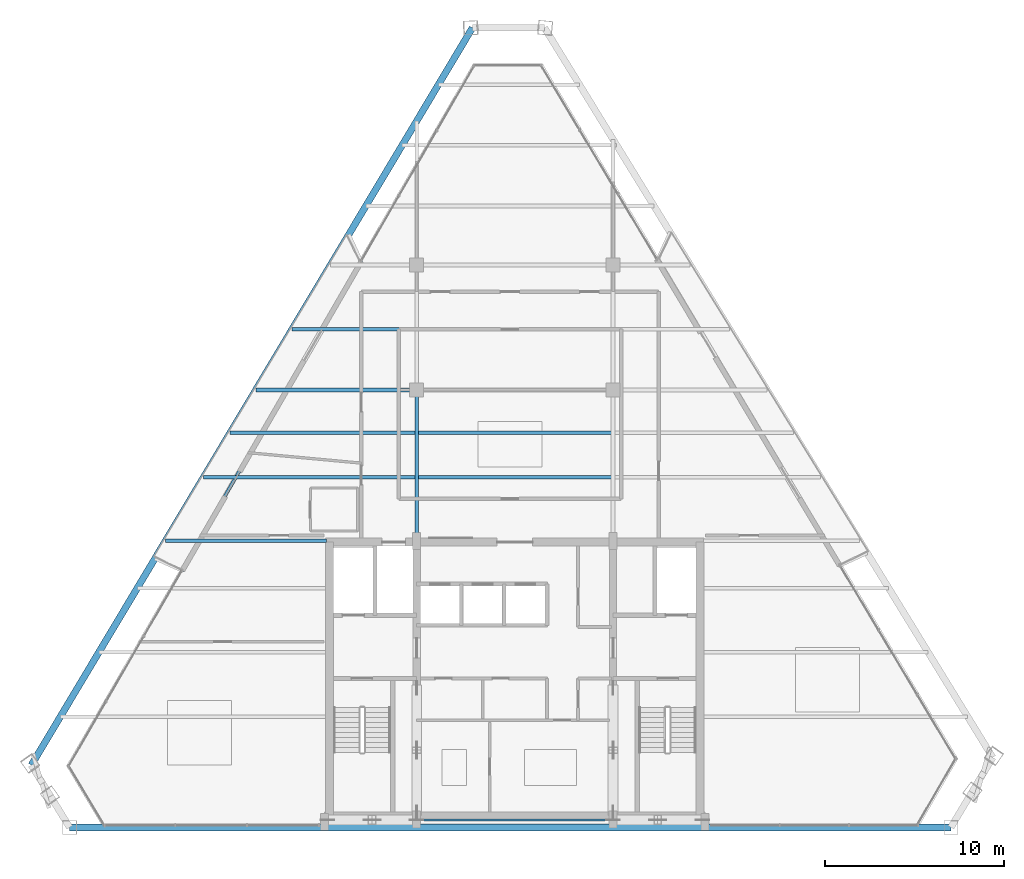
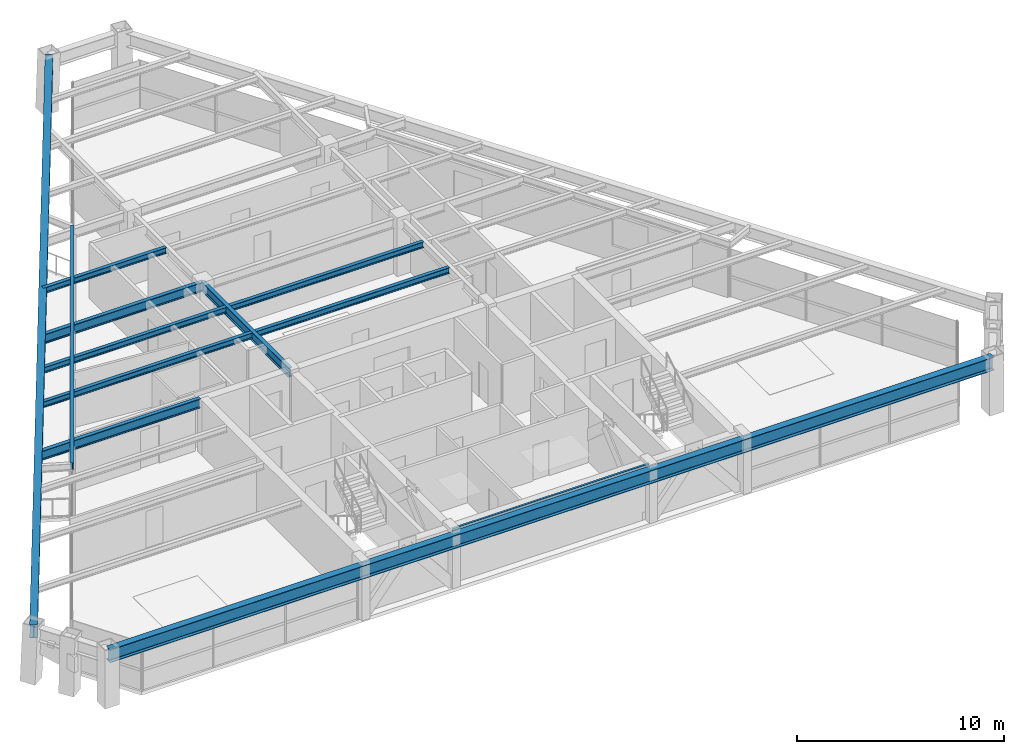
# One storey, part 3 of 13: 12 beams.
"""IFC4 building model written with IfcOpenShell, lengths in metres."""

from ifc_helpers import new_model, si_unit, direction, frame, origin, origin_2d, place, context, subcontext, project, spatial, i_section, extrude, source, transform, mapped, material, material_profile, profile_set, type_object, type_shapes, element, save


model = new_model("IFC4")

# Units and contexts
model_context = context("Model", 3, precision=1e-05, world=origin(), true_north=direction((0.0, 1.0)))
body_context = subcontext(model_context, "Body", "Model", "MODEL_VIEW")
ifc_project = project(units=[si_unit("LENGTHUNIT", "METRE"), si_unit("AREAUNIT", "SQUARE_METRE"), si_unit("VOLUMEUNIT", "CUBIC_METRE"), si_unit("PLANEANGLEUNIT", "RADIAN"), si_unit("MASSUNIT", "GRAM", prefix="KILO")], contexts=[model_context])

# Site, building, storey
site_placement = place(None, origin())
site = spatial("IfcSite", under=ifc_project, at=site_placement, CompositionType="ELEMENT")
building_placement = place(site_placement, origin())
building = spatial("IfcBuilding", under=site, at=building_placement, Name="Varnakhor Terracotta Tower", CompositionType="ELEMENT")
storey_placement = place(building_placement, frame((0.0, 0.0, 269.550048828125)))
storey = spatial("IfcBuildingStorey", under=building, at=storey_placement, Name="L70", CompositionType="ELEMENT", Elevation=269.550048828125)

# Beams
ifc_material = material(Name="Steel S355", Category="steel")
ifc_material_profile_1 = material_profile(ifc_material, i_section(OverallWidth=0.1201171875, OverallDepth=0.239990234375, WebThickness=0.006103515625, FlangeThickness=0.009765625, FilletRadius=0.01806640625, at=origin_2d()), Name="IPE240")
ifc_profile_set_1 = profile_set([ifc_material_profile_1], Name="Steel S355")
beam_type_1 = type_object("IfcBeamType", Name="LNT-IPE240", PredefinedType="LINTEL", material=ifc_profile_set_1)
shared_shape_1 = source(origin(), body_context, "Body", "SweptSolid", [
    extrude(i_section(OverallWidth=0.1201171875, OverallDepth=0.239990234375, WebThickness=0.006103515625, FlangeThickness=0.009765625, FilletRadius=0.01806640625, at=origin_2d()), origin(), (0.0, 0.0, 1.0), 11.0),
])
type_shapes(beam_type_1, [shared_shape_1])
beam_1_placement = place(storey_placement, frame((-5.5, 0.419921875, 3.119873046875), z_axis=(1.0, 0.0, 0.0), x_axis=(0.0, 1.0, 0.0)))
element("IfcBeam", 1, at=beam_1_placement, inside=storey, type_object=beam_type_1, Name="L70 Core South Coupling Lintel", PredefinedType="LINTEL", context=body_context, shape_type="MappedRepresentation", body=[
    mapped(shared_shape_1, transform((0.0, 0.0, 0.0), scale=1.0)),
])
ifc_material_profile_2 = material_profile(ifc_material, i_section(OverallWidth=0.214111328125, OverallDepth=0.549072265625, WebThickness=0.014892578125, FlangeThickness=0.02392578125, FilletRadius=0.01806640625, at=origin_2d()), Name="W21X93")
ifc_profile_set_2 = profile_set([ifc_material_profile_2], Name="Steel S355")
beam_type_2 = type_object("IfcBeamType", Name="BM-W21X93", PredefinedType="BEAM", material=ifc_profile_set_2)
shared_shape_2 = source(origin(), body_context, "Body", "SweptSolid", [
    extrude(i_section(OverallWidth=0.214111328125, OverallDepth=0.549072265625, WebThickness=0.014892578125, FlangeThickness=0.02392578125, FilletRadius=0.01806640625, at=origin_2d()), origin(), (0.0, 0.0, 1.0), 8.449951171875),
])
type_shapes(beam_type_2, [shared_shape_2])
beam_2_placement = place(storey_placement, frame((-5.5, 16.050048828125, 2.96533203125), z_axis=(0.0, 1.0, 0.0), x_axis=(-1.0, 0.0, 0.0)))
element("IfcBeam", 2, at=beam_2_placement, inside=storey, type_object=beam_type_2, Name="L70 Primary Girder NS1-W", PredefinedType="BEAM", context=body_context, shape_type="MappedRepresentation", body=[
    mapped(shared_shape_2, transform((0.0, 0.0, 0.0), scale=1.0)),
])
ifc_material_profile_3 = material_profile(ifc_material, i_section(OverallWidth=0.202880859375, OverallDepth=0.346923828125, WebThickness=0.0078125, FlangeThickness=0.013427734375, FilletRadius=0.01806640625, at=origin_2d()), Name="W14X43")
ifc_profile_set_3 = profile_set([ifc_material_profile_3], Name="Steel S355")
beam_type_3 = type_object("IfcBeamType", Name="JST-W14X43", PredefinedType="JOIST", material=ifc_profile_set_3)
shared_shape_3 = source(origin(), body_context, "Body", "SweptSolid", [
    extrude(i_section(OverallWidth=0.202880859375, OverallDepth=0.346923828125, WebThickness=0.0078125, FlangeThickness=0.013427734375, FilletRadius=0.01806640625, at=origin_2d()), origin(), (0.0, 0.0, 1.0), 10.7939453125),
])
for number, where, z_axis, x_axis, name in (
    (3, (-5.39697265625, 19.60009765625, 3.06640625), (1.0, 0.0, 0.0), (0.0, 1.0, 0.0), "L70 Composite Floor Joist 4-2"),
    (4, (-5.39697265625, 22.10009765625, 3.06640625), (1.0, 0.0, 0.0), (0.0, 1.0, 0.0), "L70 Composite Floor Joist 5-2"),
):
    element("IfcBeam", number, at=place(storey_placement, frame(where, z_axis=z_axis, x_axis=x_axis)), inside=storey, type_object=beam_type_3, Name=name, PredefinedType="JOIST", context=body_context, shape_type="MappedRepresentation", body=[
        mapped(shared_shape_3, transform((0.0, 0.0, 0.0), scale=1.0)),
    ])
ifc_material_profile_4 = material_profile(ifc_material, i_section(OverallWidth=0.381103515625, OverallDepth=0.77294921875, WebThickness=0.01708984375, FlangeThickness=0.027099609375, FilletRadius=0.01806640625, at=origin_2d()), Name="W30X173")
ifc_profile_set_4 = profile_set([ifc_material_profile_4], Name="Steel S355")
beam_type_4 = type_object("IfcBeamType", Name="BM-W30X173", PredefinedType="BEAM", material=ifc_profile_set_4)
shared_shape_4 = source(origin(), body_context, "Body", "SweptSolid", [
    extrude(i_section(OverallWidth=0.381103515625, OverallDepth=0.77294921875, WebThickness=0.01708984375, FlangeThickness=0.027099609375, FilletRadius=0.01806640625, at=origin_2d()), origin(), (0.0, 0.0, 1.0), 49.3525390625),
])
beam_3_placement = place(storey_placement, frame((-24.93505859375, 0.0, 2.853515625), z_axis=(1.0, 0.0, 0.0), x_axis=(0.0, 1.0, 0.0)))
element("IfcBeam", 5, at=beam_3_placement, inside=storey, type_object=beam_type_4, Name="L70 Perimeter Spandrel 1", PredefinedType="BEAM", context=body_context, shape_type="MappedRepresentation", body=[
    mapped(shared_shape_4, transform((0.0, 0.0, 0.0), scale=1.0)),
])
shared_shape_5 = source(origin(), body_context, "Body", "SweptSolid", [
    extrude(i_section(OverallWidth=0.381103515625, OverallDepth=0.77294921875, WebThickness=0.01708984375, FlangeThickness=0.027099609375, FilletRadius=0.01806640625, at=origin_2d()), origin(), (0.0, 0.0, 1.0), 48.1162109375),
])
beam_4_placement = place(storey_placement, frame((-2.377197265625, 44.78076171875, 2.853515625), z_axis=(-0.513348429559, -0.858180278187, 0.0), x_axis=(0.858180278187, -0.513348429559, 0.0)))
element("IfcBeam", 6, at=beam_4_placement, inside=storey, type_object=beam_type_4, Name="L70 Perimeter Spandrel 6", PredefinedType="BEAM", context=body_context, shape_type="MappedRepresentation", body=[
    mapped(shared_shape_5, transform((0.0, 0.0, 0.0), scale=1.0)),
])
ifc_material_profile_5 = material_profile(ifc_material, i_section(OverallWidth=0.179931640625, OverallDepth=0.39990234375, WebThickness=0.008544921875, FlangeThickness=0.013427734375, FilletRadius=0.01806640625, at=origin_2d()), Name="IPE400")
ifc_profile_set_5 = profile_set([ifc_material_profile_5], Name="Steel S355")
beam_type_5 = type_object("IfcBeamType", Name="JST-IPE400", PredefinedType="JOIST", material=ifc_profile_set_5)
shared_shape_6 = source(origin(), body_context, "Body", "SweptSolid", [
    extrude(i_section(OverallWidth=0.179931640625, OverallDepth=0.39990234375, WebThickness=0.008544921875, FlangeThickness=0.013427734375, FilletRadius=0.01806640625, at=origin_2d()), origin(), (0.0, 0.0, 1.0), 20.050048828125),
])
beam_5_placement = place(storey_placement, frame((-8.6123046875, 31.734375, 3.0400390625), z_axis=(-0.500615740451, -0.86566961389, 0.0), x_axis=(0.86566961389, -0.500615740451, 0.0)))
element("IfcBeam", 7, at=beam_5_placement, inside=storey, type_object=beam_type_5, Name="L70 Loggia Edge Beam 2", PredefinedType="JOIST", context=body_context, shape_type="MappedRepresentation", body=[
    mapped(shared_shape_6, transform((0.0, 0.0, 0.0), scale=1.0)),
])
shared_shape_7 = source(origin(), body_context, "Body", "SweptSolid", [
    extrude(i_section(OverallWidth=0.214111328125, OverallDepth=0.549072265625, WebThickness=0.014892578125, FlangeThickness=0.02392578125, FilletRadius=0.01806640625, at=origin_2d()), origin(), (0.0, 0.0, 1.0), 9.013427734375),
])
beam_6_placement = place(storey_placement, frame((-19.5634765625, 16.050048828125, 2.96533203125), z_axis=(1.0, 0.0, 0.0), x_axis=(0.0, 1.0, 0.0)))
element("IfcBeam", 8, at=beam_6_placement, inside=storey, type_object=beam_type_2, Name="L70 Wing Girder W", PredefinedType="BEAM", context=body_context, shape_type="MappedRepresentation", body=[
    mapped(shared_shape_7, transform((0.0, 0.0, 0.0), scale=1.0)),
])
shared_shape_8 = source(origin(), body_context, "Body", "SweptSolid", [
    extrude(i_section(OverallWidth=0.214111328125, OverallDepth=0.549072265625, WebThickness=0.014892578125, FlangeThickness=0.02392578125, FilletRadius=0.01806640625, at=origin_2d()), origin(), (0.0, 0.0, 1.0), 9.0087890625),
])
beam_7_placement = place(storey_placement, frame((-14.5087890625, 24.5, 2.96533203125), z_axis=(1.0, 0.0, 0.0), x_axis=(0.0, 1.0, 0.0)))
element("IfcBeam", 9, at=beam_7_placement, inside=storey, type_object=beam_type_2, Name="L70 Primary Girder EW2-1", PredefinedType="BEAM", context=body_context, shape_type="MappedRepresentation", body=[
    mapped(shared_shape_8, transform((0.0, 0.0, 0.0), scale=1.0)),
])
shared_shape_9 = source(origin(), body_context, "Body", "SweptSolid", [
    extrude(i_section(OverallWidth=0.202880859375, OverallDepth=0.346923828125, WebThickness=0.0078125, FlangeThickness=0.013427734375, FilletRadius=0.01806640625, at=origin_2d()), origin(), (0.0, 0.0, 1.0), 11.836669921875),
])
beam_8_placement = place(storey_placement, frame((-17.439697265625, 19.60009765625, 3.06640625), z_axis=(1.0, 0.0, 0.0), x_axis=(0.0, 1.0, 0.0)))
element("IfcBeam", 10, at=beam_8_placement, inside=storey, type_object=beam_type_3, Name="L70 Composite Floor Joist 4-1", PredefinedType="JOIST", context=body_context, shape_type="MappedRepresentation", body=[
    mapped(shared_shape_9, transform((0.0, 0.0, 0.0), scale=1.0)),
])
shared_shape_10 = source(origin(), body_context, "Body", "SweptSolid", [
    extrude(i_section(OverallWidth=0.202880859375, OverallDepth=0.346923828125, WebThickness=0.0078125, FlangeThickness=0.013427734375, FilletRadius=0.01806640625, at=origin_2d()), origin(), (0.0, 0.0, 1.0), 10.34130859375),
])
beam_9_placement = place(storey_placement, frame((-15.9443359375, 22.10009765625, 3.06640625), z_axis=(1.0, 0.0, 0.0), x_axis=(0.0, 1.0, 0.0)))
element("IfcBeam", 11, at=beam_9_placement, inside=storey, type_object=beam_type_3, Name="L70 Composite Floor Joist 5-1", PredefinedType="JOIST", context=body_context, shape_type="MappedRepresentation", body=[
    mapped(shared_shape_10, transform((0.0, 0.0, 0.0), scale=1.0)),
])
shared_shape_11 = source(origin(), body_context, "Body", "SweptSolid", [
    extrude(i_section(OverallWidth=0.202880859375, OverallDepth=0.346923828125, WebThickness=0.0078125, FlangeThickness=0.013427734375, FilletRadius=0.01806640625, at=origin_2d()), origin(), (0.0, 0.0, 1.0), 6.871826171875),
])
beam_10_placement = place(storey_placement, frame((-12.474853515625, 27.89990234375, 3.06640625), z_axis=(1.0, 0.0, 0.0), x_axis=(0.0, 1.0, 0.0)))
element("IfcBeam", 12, at=beam_10_placement, inside=storey, type_object=beam_type_3, Name="L70 Composite Floor Joist 6-1", PredefinedType="JOIST", context=body_context, shape_type="MappedRepresentation", body=[
    mapped(shared_shape_11, transform((0.0, 0.0, 0.0), scale=1.0)),
])

save(model, "model.ifc")
